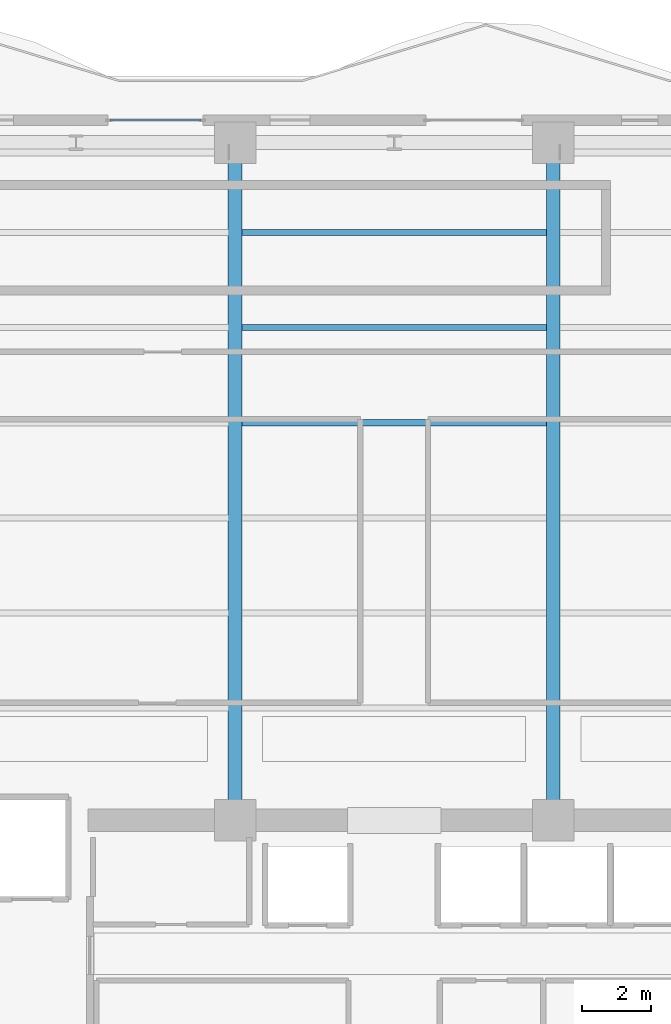
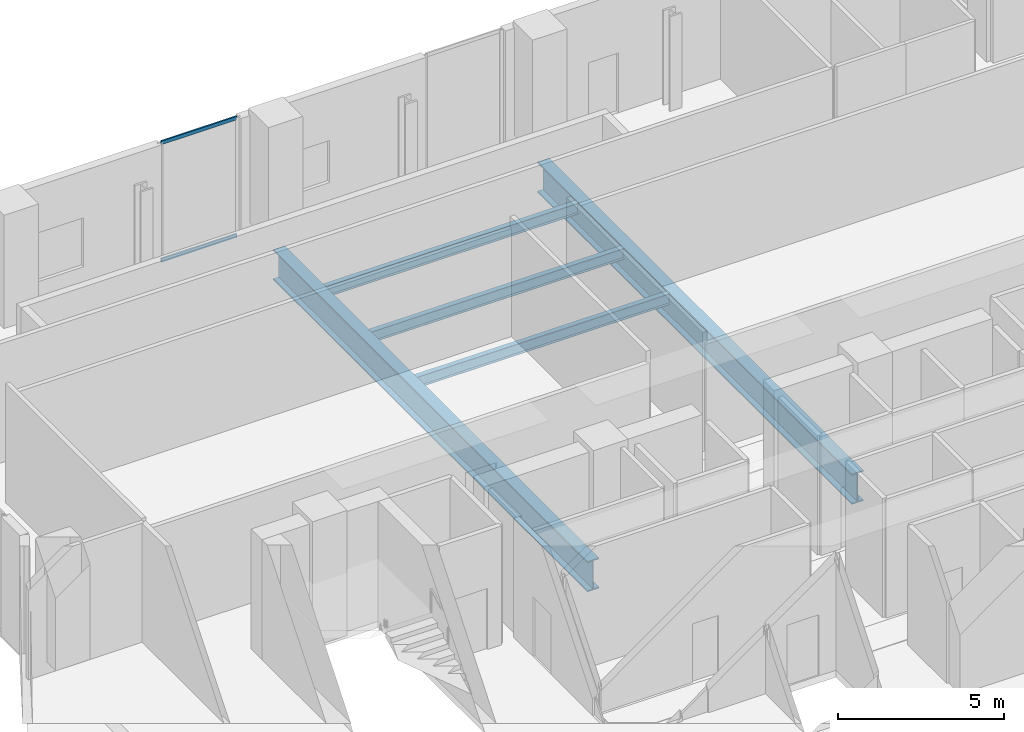
# One storey, part 19 of 33: 5 beams, 2 members, 1 element without a shape of its own.
"""IFC4 building model written with IfcOpenShell, lengths in metres."""

from ifc_helpers import new_model, si_unit, direction, frame, origin, origin_2d, place, context, subcontext, project, spatial, hollow_rectangle, i_section, extrude, material, layer, layer_set, material_profile, profile_set, type_object, element, aggregate, save


model = new_model("IFC4")

# Units and contexts
model_context = context("Model", 3, precision=1e-05, world=origin(), true_north=direction((0.0, 1.0)))
body_context = subcontext(model_context, "Body", "Model", "MODEL_VIEW")
ifc_project = project(units=[si_unit("LENGTHUNIT", "METRE"), si_unit("AREAUNIT", "SQUARE_METRE"), si_unit("VOLUMEUNIT", "CUBIC_METRE"), si_unit("PLANEANGLEUNIT", "RADIAN"), si_unit("MASSUNIT", "GRAM", prefix="KILO")], contexts=[model_context])

# Site, building, storey
site_placement = place(None, origin())
site = spatial("IfcSite", under=ifc_project, at=site_placement, CompositionType="ELEMENT")
building_placement = place(site_placement, origin())
building = spatial("IfcBuilding", under=site, at=building_placement, Name="Zuhayl Quay Hotel", CompositionType="ELEMENT")
storey_placement = place(building_placement, frame((0.0, 0.0, 168.199951171875)))
storey = spatial("IfcBuildingStorey", under=building, at=storey_placement, Name="L42", CompositionType="ELEMENT", Elevation=168.199951171875)

# Beams
ifc_material_1 = material(Name="Steel ASTM A992 Grade 50", Category="steel")
ifc_material_profile_1 = material_profile(ifc_material_1, i_section(OverallWidth=0.177978515625, OverallDepth=0.406005859375, WebThickness=0.0078125, FlangeThickness=0.0126953125, at=origin_2d()), Name="W16X40")
ifc_profile_set_1 = profile_set([ifc_material_profile_1], Name="Steel ASTM A992 Grade 50")
beam_type_1 = type_object("IfcBeamType", Name="BM_J2B_W16X40", PredefinedType="JOIST", material=ifc_profile_set_1)
for number, where, z_axis, x_axis, name in (
    (1, (-4.406005859375, 24.85009765625, -0.462890625), (1.0, 0.0, 0.0), (0.0, 1.0, 0.0), "L42 Floor Beam FJ_L42_4_2"),
    (2, (-4.406005859375, 27.60009765625, -0.462890625), (1.0, 0.0, 0.0), (0.0, 1.0, 0.0), "L42 Floor Beam FJ_L42_5_2"),
    (3, (-4.406005859375, 30.35009765625, -0.462890625), (1.0, 0.0, 0.0), (0.0, 1.0, 0.0), "L42 Floor Beam FJ_L42_6_2"),
):
    element("IfcBeam", number, at=place(storey_placement, frame(where, z_axis=z_axis, x_axis=x_axis)), inside=storey, type_object=beam_type_1, Name=name, PredefinedType="JOIST", context=body_context, shape_type="SweptSolid", body=[
        extrude(i_section(OverallWidth=0.177978515625, OverallDepth=0.406005859375, WebThickness=0.0078125, FlangeThickness=0.0126953125, at=origin_2d()), origin(), (0.0, 0.0, 1.0), 8.81201171875),
    ])
ifc_material_2 = material(Name="Steel ASTM A913 Grade 65", Category="steel")
ifc_material_profile_2 = material_profile(ifc_material_2, i_section(OverallWidth=0.404052734375, OverallDepth=1.117919921875, WebThickness=0.026123046875, FlangeThickness=0.044921875, at=origin_2d()), Name="W44X335")
ifc_profile_set_2 = profile_set([ifc_material_profile_2], Name="Steel ASTM A913 Grade 65")
beam_type_2 = type_object("IfcBeamType", Name="BM_TG1_W44X335", PredefinedType="BEAM", material=ifc_profile_set_2)
for number, where, z_axis, x_axis, name in (
    (4, (-4.60009765625, 13.800048828125, -0.81884765625), (0.0, 1.0, 0.0), (-1.0, 0.0, 0.0), "L42 Floor Beam FG_N_L42_2"),
    (5, (4.60009765625, 13.800048828125, -0.81884765625), (0.0, 1.0, 0.0), (-1.0, 0.0, 0.0), "L42 Floor Beam FG_N_L42_3"),
):
    element("IfcBeam", number, at=place(storey_placement, frame(where, z_axis=z_axis, x_axis=x_axis)), inside=storey, type_object=beam_type_2, Name=name, PredefinedType="BEAM", context=body_context, shape_type="SweptSolid", body=[
        extrude(i_section(OverallWidth=0.404052734375, OverallDepth=1.117919921875, WebThickness=0.026123046875, FlangeThickness=0.044921875, at=origin_2d()), origin(), (0.0, 0.0, 1.0), 18.949951171875),
    ])

# Curtain wall, members
ifc_material_3 = material(Name="Anodised Aluminium 6063-T6", Category="aluminium")
ifc_layer = layer(ifc_material_3, 0.175048828125, Name="Anodised Aluminium 6063-T6", Category="aluminium")
ifc_layer_set = layer_set([ifc_layer], Name="Anodised Aluminium 6063-T6")
curtain_wall_type = type_object("IfcCurtainWallType", Name="CW_SYS_Z3", PredefinedType="USERDEFINED", material=ifc_layer_set)
curtain_wall_placement = place(storey_placement, origin())
curtain_wall = element("IfcCurtainWall", 6, at=curtain_wall_placement, inside=storey, type_object=curtain_wall_type, Name="L42 Curtain Wall ENV_L42_N_CW2", ObjectType="UNITISED CURTAIN WALL", PredefinedType="USERDEFINED")
ifc_material_4 = material(Name="Black-anodised aluminium 6063-T6", Category="aluminium")
ifc_material_profile_3 = material_profile(ifc_material_4, hollow_rectangle(XDim=0.054931640625, YDim=0.1298828125, WallThickness=0.0029296875, at=origin_2d()), Name="ALU130X55")
ifc_profile_set_3 = profile_set([ifc_material_profile_3], Name="Black-anodised aluminium 6063-T6")
member_type = type_object("IfcMemberType", Name="MB_CW_TRN_130", PredefinedType="USERDEFINED", material=ifc_profile_set_3)
member_1_placement = place(storey_placement, frame((-8.215087890625, 33.60009765625, 0.027587890625), z_axis=(1.0, 0.0, 0.0), x_axis=(0.0, 1.0, 0.0)))
member_1 = element("IfcMember", 7, at=member_1_placement, type_object=member_type, Name="CW-Z3 transom 1.1", ObjectType="TRANSOM", PredefinedType="USERDEFINED", context=body_context, shape_type="SweptSolid", body=[
    extrude(hollow_rectangle(XDim=0.054931640625, YDim=0.1298828125, WallThickness=0.0029296875, at=origin_2d()), origin(), (0.0, 0.0, 1.0), 2.630126953125),
])
member_2_placement = place(storey_placement, frame((-8.215087890625, 33.60009765625, 4.3525390625), z_axis=(1.0, 0.0, 0.0), x_axis=(0.0, 1.0, 0.0)))
member_2 = element("IfcMember", 8, at=member_2_placement, type_object=member_type, Name="CW-Z3 transom 1.2", ObjectType="TRANSOM", PredefinedType="USERDEFINED", context=body_context, shape_type="SweptSolid", body=[
    extrude(hollow_rectangle(XDim=0.054931640625, YDim=0.1298828125, WallThickness=0.0029296875, at=origin_2d()), origin(), (0.0, 0.0, 1.0), 2.630126953125),
])
aggregate(curtain_wall, [member_1, member_2])

save(model, "model.ifc")
